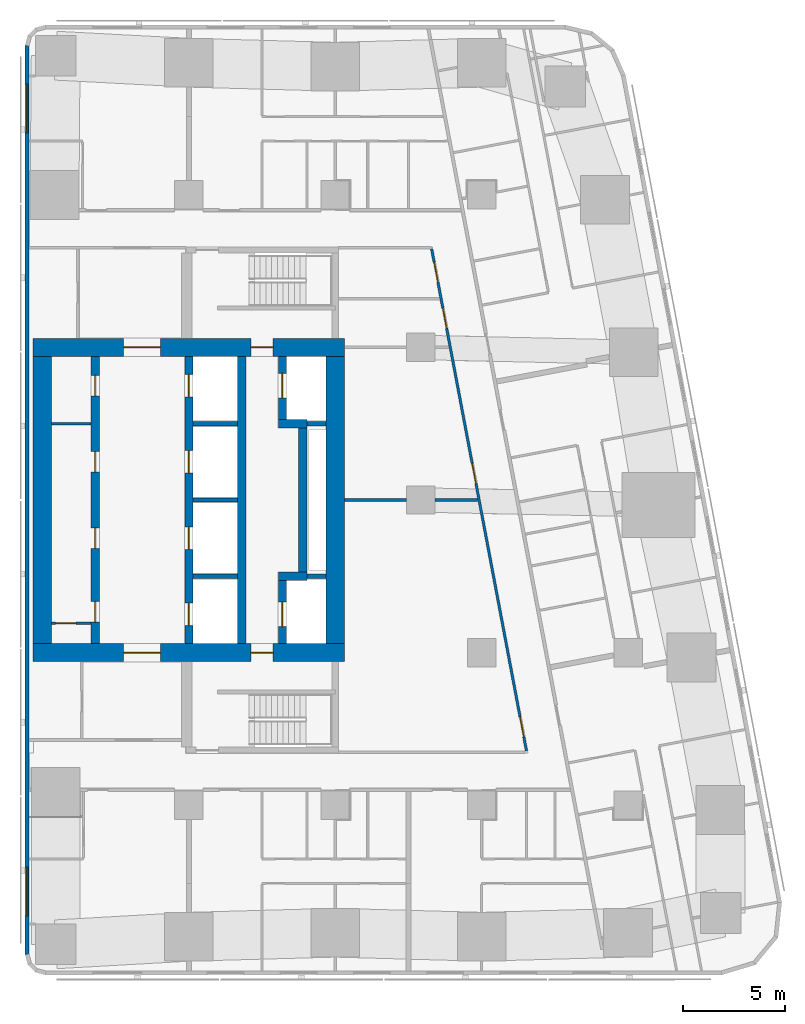
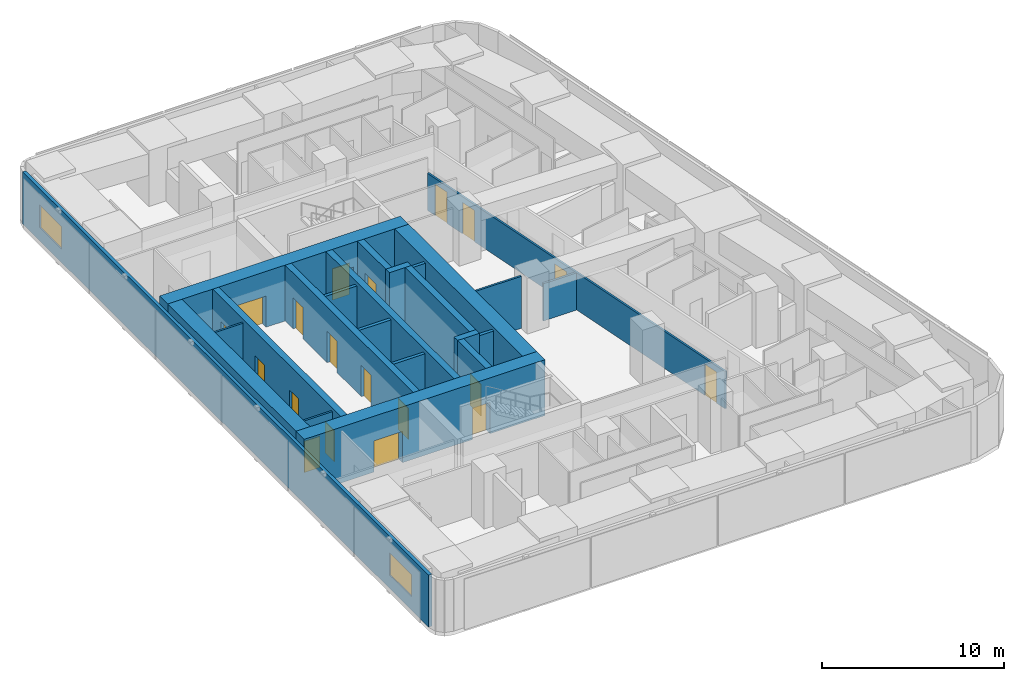
# One storey, part 4 of 10: 23 walls, 19 doors, 2 windows, 21 openings.
"""IFC4 building model written with IfcOpenShell, lengths in metres."""

from ifc_helpers import new_model, si_unit, direction, frame, frame_2d, origin, place, context, subcontext, project, spatial, rectangle, extrude, material, layer, layer_set, type_object, element, fill, save


model = new_model("IFC4")

# Units and contexts
model_context = context("Model", 3, precision=1e-05, world=origin(), true_north=direction((0.0, 1.0)))
body_context = subcontext(model_context, "Body", "Model", "MODEL_VIEW")
ifc_project = project(units=[si_unit("LENGTHUNIT", "METRE"), si_unit("AREAUNIT", "SQUARE_METRE"), si_unit("VOLUMEUNIT", "CUBIC_METRE"), si_unit("PLANEANGLEUNIT", "RADIAN"), si_unit("MASSUNIT", "GRAM", prefix="KILO")], contexts=[model_context])

# Site, building, storey
site_placement = place(None, origin())
site = spatial("IfcSite", under=ifc_project, at=site_placement, CompositionType="ELEMENT")
building_placement = place(site_placement, origin())
building = spatial("IfcBuilding", under=site, at=building_placement, Name="Sheger Commons Tower", CompositionType="ELEMENT")
storey_placement = place(building_placement, frame((0.0, 0.0, 234.949951171875)))
storey = spatial("IfcBuildingStorey", under=building, at=storey_placement, Name="L60", CompositionType="ELEMENT", Elevation=234.949951171875)

# Wall, openings, doors
ifc_material_1 = material(Name="Concrete C50/60", Category="concrete")
ifc_layer_1 = layer(ifc_material_1, 0.39990234375)
ifc_layer_set_1 = layer_set([ifc_layer_1], Name="CORE INNER WALL 400")
wall_type_1 = type_object("IfcWallType", Name="CORE INNER WALL 400", PredefinedType="SHEAR", material=ifc_layer_set_1)
wall_1_placement = place(storey_placement, frame((17.0, 15.449951171875, 0.0), z_axis=(0.0, 0.0, 1.0), x_axis=(0.0, 1.0, 0.0)))
wall_1 = element("IfcWall", 1, at=wall_1_placement, inside=storey, type_object=wall_type_1, Name="Core inner wall A L60", PredefinedType="SHEAR", context=body_context, shape_type="SweptSolid", body=[
    extrude(rectangle(XDim=14.10009765625, YDim=0.39990234375, at=frame_2d((7.050048828125, 0.0))), origin(), (0.0, 0.0, 1.0), 3.75),
])
opening_1_placement = place(wall_1_placement, frame((1.050048828125, 0.0, 0.0)))
opening_1 = element("IfcOpeningElement", 2, at=opening_1_placement, cuts=wall_1, Name="Opening D4", PredefinedType="OPENING", context=body_context, shape_type="SweptSolid", body=[
    extrude(rectangle(XDim=1.0, YDim=2.10009765625, at=frame_2d((0.5, 1.050048828125))), frame((0.0, 0.2099609375, 0.0), z_axis=(0.0, -1.0, 0.0), x_axis=(1.0, 0.0, 0.0)), (0.0, 0.0, 1.0), 0.419921875),
])
opening_2_placement = place(wall_1_placement, frame((4.675048828125, 0.0, 0.0)))
opening_2 = element("IfcOpeningElement", 3, at=opening_2_placement, cuts=wall_1, Name="Opening D4", PredefinedType="OPENING", context=body_context, shape_type="SweptSolid", body=[
    extrude(rectangle(XDim=1.0, YDim=2.10009765625, at=frame_2d((0.5, 1.050048828125))), frame((0.0, 0.2099609375, 0.0), z_axis=(0.0, -1.0, 0.0), x_axis=(1.0, 0.0, 0.0)), (0.0, 0.0, 1.0), 0.419921875),
])
opening_3_placement = place(wall_1_placement, frame((8.425048828125, 0.0, 0.0)))
opening_3 = element("IfcOpeningElement", 4, at=opening_3_placement, cuts=wall_1, Name="Opening D4", PredefinedType="OPENING", context=body_context, shape_type="SweptSolid", body=[
    extrude(rectangle(XDim=1.0, YDim=2.10009765625, at=frame_2d((0.5, 1.050048828125))), frame((0.0, 0.2099609375, 0.0), z_axis=(0.0, -1.0, 0.0), x_axis=(1.0, 0.0, 0.0)), (0.0, 0.0, 1.0), 0.419921875),
])
opening_4_placement = place(wall_1_placement, frame((12.175048828125, 0.0, 0.0)))
opening_4 = element("IfcOpeningElement", 5, at=opening_4_placement, cuts=wall_1, Name="Opening D4", PredefinedType="OPENING", context=body_context, shape_type="SweptSolid", body=[
    extrude(rectangle(XDim=1.0, YDim=2.10009765625, at=frame_2d((0.5, 1.050048828125))), frame((0.0, 0.2099609375, 0.0), z_axis=(0.0, -1.0, 0.0), x_axis=(1.0, 0.0, 0.0)), (0.0, 0.0, 1.0), 0.419921875),
])
ifc_material_2 = material(Name="Steel door set, fire rated", Category="steel")
door_type_1 = type_object("IfcDoorType", Name="SERVICE DOOR 1000x2100", OperationType="NOTDEFINED", PredefinedType="DOOR", material=ifc_material_2)
door_1_placement = place(opening_1_placement, origin())
door_1 = element("IfcDoor", 6, at=door_1_placement, inside=storey, type_object=door_type_1, Name="Maintenance store door", OperationType="SINGLE_SWING_LEFT", OverallHeight=2.10009765625, OverallWidth=1.0, PredefinedType="DOOR", context=body_context, shape_type="SweptSolid", body=[
    extrude(rectangle(XDim=1.0, YDim=2.10009765625, at=frame_2d((0.5, 1.050048828125))), frame((0.0, 0.02490234375, 0.0), z_axis=(0.0, -1.0, 0.0), x_axis=(1.0, 0.0, 0.0)), (0.0, 0.0, 1.0), 0.050048828125),
])
fill(opening_1, door_1)
door_2_placement = place(opening_2_placement, origin())
door_2 = element("IfcDoor", 7, at=door_2_placement, inside=storey, type_object=door_type_1, Name="Maintenance store door", OperationType="SINGLE_SWING_LEFT", OverallHeight=2.10009765625, OverallWidth=1.0, PredefinedType="DOOR", context=body_context, shape_type="SweptSolid", body=[
    extrude(rectangle(XDim=1.0, YDim=2.10009765625, at=frame_2d((0.5, 1.050048828125))), frame((0.0, 0.02490234375, 0.0), z_axis=(0.0, -1.0, 0.0), x_axis=(1.0, 0.0, 0.0)), (0.0, 0.0, 1.0), 0.050048828125),
])
fill(opening_2, door_2)
door_3_placement = place(opening_3_placement, origin())
door_3 = element("IfcDoor", 8, at=door_3_placement, inside=storey, type_object=door_type_1, Name="Maintenance store door", OperationType="SINGLE_SWING_RIGHT", OverallHeight=2.10009765625, OverallWidth=1.0, PredefinedType="DOOR", context=body_context, shape_type="SweptSolid", body=[
    extrude(rectangle(XDim=1.0, YDim=2.10009765625, at=frame_2d((0.5, 1.050048828125))), frame((0.0, 0.02490234375, 0.0), z_axis=(0.0, -1.0, 0.0), x_axis=(1.0, 0.0, 0.0)), (0.0, 0.0, 1.0), 0.050048828125),
])
fill(opening_3, door_3)
door_4_placement = place(opening_4_placement, origin())
door_4 = element("IfcDoor", 9, at=door_4_placement, inside=storey, type_object=door_type_1, Name="Staff WC door", OperationType="SINGLE_SWING_RIGHT", OverallHeight=2.10009765625, OverallWidth=1.0, PredefinedType="DOOR", context=body_context, shape_type="SweptSolid", body=[
    extrude(rectangle(XDim=1.0, YDim=2.10009765625, at=frame_2d((0.5, 1.050048828125))), frame((0.0, 0.02490234375, 0.0), z_axis=(0.0, -1.0, 0.0), x_axis=(1.0, 0.0, 0.0)), (0.0, 0.0, 1.0), 0.050048828125),
])
fill(opening_4, door_4)

wall_2_placement = place(storey_placement, frame((21.60009765625, 15.449951171875, 0.0), z_axis=(0.0, 0.0, 1.0), x_axis=(0.0, 1.0, 0.0)))
wall_2 = element("IfcWall", 10, at=wall_2_placement, inside=storey, type_object=wall_type_1, Name="Core inner wall L L60", PredefinedType="SHEAR", context=body_context, shape_type="SweptSolid", body=[
    extrude(rectangle(XDim=14.10009765625, YDim=0.39990234375, at=frame_2d((7.050048828125, 0.0))), origin(), (0.0, 0.0, 1.0), 3.75),
])
opening_5_placement = place(wall_2_placement, frame((0.875, 0.0, 0.0)))
opening_5 = element("IfcOpeningElement", 11, at=opening_5_placement, cuts=wall_2, Name="Opening LD", PredefinedType="OPENING", context=body_context, shape_type="SweptSolid", body=[
    extrude(rectangle(XDim=1.10009765625, YDim=2.10009765625, at=frame_2d((0.550048828125, 1.050048828125))), frame((0.0, 0.2099609375, 0.0), z_axis=(0.0, -1.0, 0.0), x_axis=(1.0, 0.0, 0.0)), (0.0, 0.0, 1.0), 0.419921875),
])
opening_6_placement = place(wall_2_placement, frame((4.625, 0.0, 0.0)))
opening_6 = element("IfcOpeningElement", 12, at=opening_6_placement, cuts=wall_2, Name="Opening LD", PredefinedType="OPENING", context=body_context, shape_type="SweptSolid", body=[
    extrude(rectangle(XDim=1.10009765625, YDim=2.10009765625, at=frame_2d((0.550048828125, 1.050048828125))), frame((0.0, 0.2099609375, 0.0), z_axis=(0.0, -1.0, 0.0), x_axis=(1.0, 0.0, 0.0)), (0.0, 0.0, 1.0), 0.419921875),
])
opening_7_placement = place(wall_2_placement, frame((8.375, 0.0, 0.0)))
opening_7 = element("IfcOpeningElement", 13, at=opening_7_placement, cuts=wall_2, Name="Opening LD", PredefinedType="OPENING", context=body_context, shape_type="SweptSolid", body=[
    extrude(rectangle(XDim=1.10009765625, YDim=2.10009765625, at=frame_2d((0.550048828125, 1.050048828125))), frame((0.0, 0.2099609375, 0.0), z_axis=(0.0, -1.0, 0.0), x_axis=(1.0, 0.0, 0.0)), (0.0, 0.0, 1.0), 0.419921875),
])
opening_8_placement = place(wall_2_placement, frame((12.125, 0.0, 0.0)))
opening_8 = element("IfcOpeningElement", 14, at=opening_8_placement, cuts=wall_2, Name="Opening LD", PredefinedType="OPENING", context=body_context, shape_type="SweptSolid", body=[
    extrude(rectangle(XDim=1.10009765625, YDim=2.10009765625, at=frame_2d((0.550048828125, 1.050048828125))), frame((0.0, 0.2099609375, 0.0), z_axis=(0.0, -1.0, 0.0), x_axis=(1.0, 0.0, 0.0)), (0.0, 0.0, 1.0), 0.419921875),
])
ifc_material_3 = material(Name="Steel door set, fire rated", Category="steel")
door_type_2 = type_object("IfcDoorType", Name="LIFT LANDING DOOR 1100x2100", OperationType="DOUBLE_DOOR_SLIDING", PredefinedType="DOOR", material=ifc_material_3)
door_5_placement = place(opening_5_placement, origin())
door_5 = element("IfcDoor", 15, at=door_5_placement, inside=storey, type_object=door_type_2, Name="Lift LB1 landing door", OperationType="DOUBLE_DOOR_SLIDING", OverallHeight=2.10009765625, OverallWidth=1.10009765625, PredefinedType="DOOR", context=body_context, shape_type="SweptSolid", body=[
    extrude(rectangle(XDim=1.10009765625, YDim=2.10009765625, at=frame_2d((0.550048828125, 1.050048828125))), frame((0.0, 0.02490234375, 0.0), z_axis=(0.0, -1.0, 0.0), x_axis=(1.0, 0.0, 0.0)), (0.0, 0.0, 1.0), 0.050048828125),
])
fill(opening_5, door_5)
door_6_placement = place(opening_6_placement, origin())
door_6 = element("IfcDoor", 16, at=door_6_placement, inside=storey, type_object=door_type_2, Name="Lift LB2 landing door", OperationType="DOUBLE_DOOR_SLIDING", OverallHeight=2.10009765625, OverallWidth=1.10009765625, PredefinedType="DOOR", context=body_context, shape_type="SweptSolid", body=[
    extrude(rectangle(XDim=1.10009765625, YDim=2.10009765625, at=frame_2d((0.550048828125, 1.050048828125))), frame((0.0, 0.02490234375, 0.0), z_axis=(0.0, -1.0, 0.0), x_axis=(1.0, 0.0, 0.0)), (0.0, 0.0, 1.0), 0.050048828125),
])
fill(opening_6, door_6)
door_7_placement = place(opening_7_placement, origin())
door_7 = element("IfcDoor", 17, at=door_7_placement, inside=storey, type_object=door_type_2, Name="Lift LB3 landing door", OperationType="DOUBLE_DOOR_SLIDING", OverallHeight=2.10009765625, OverallWidth=1.10009765625, PredefinedType="DOOR", context=body_context, shape_type="SweptSolid", body=[
    extrude(rectangle(XDim=1.10009765625, YDim=2.10009765625, at=frame_2d((0.550048828125, 1.050048828125))), frame((0.0, 0.02490234375, 0.0), z_axis=(0.0, -1.0, 0.0), x_axis=(1.0, 0.0, 0.0)), (0.0, 0.0, 1.0), 0.050048828125),
])
fill(opening_7, door_7)
door_8_placement = place(opening_8_placement, origin())
door_8 = element("IfcDoor", 18, at=door_8_placement, inside=storey, type_object=door_type_2, Name="Lift LB4 landing door", OperationType="DOUBLE_DOOR_SLIDING", OverallHeight=2.10009765625, OverallWidth=1.10009765625, PredefinedType="DOOR", context=body_context, shape_type="SweptSolid", body=[
    extrude(rectangle(XDim=1.10009765625, YDim=2.10009765625, at=frame_2d((0.550048828125, 1.050048828125))), frame((0.0, 0.02490234375, 0.0), z_axis=(0.0, -1.0, 0.0), x_axis=(1.0, 0.0, 0.0)), (0.0, 0.0, 1.0), 0.050048828125),
])
fill(opening_8, door_8)

# Wall
wall_3_placement = place(storey_placement, frame((24.199951171875, 15.449951171875, 0.0), z_axis=(0.0, 0.0, 1.0), x_axis=(0.0, 1.0, 0.0)))
element("IfcWall", 19, at=wall_3_placement, inside=storey, type_object=wall_type_1, Name="Core inner wall B L60", PredefinedType="SHEAR", context=body_context, shape_type="SweptSolid", body=[
    extrude(rectangle(XDim=14.10009765625, YDim=0.39990234375, at=frame_2d((7.050048828125, 0.0))), origin(), (0.0, 0.0, 1.0), 3.75),
])

# Wall, opening, door
wall_4_placement = place(storey_placement, frame((26.199951171875, 15.449951171875, 0.0), z_axis=(0.0, 0.0, 1.0), x_axis=(0.0, 1.0, 0.0)))
wall_4 = element("IfcWall", 20, at=wall_4_placement, inside=storey, type_object=wall_type_1, Name="Core inner wall F L60", PredefinedType="SHEAR", context=body_context, shape_type="SweptSolid", body=[
    extrude(rectangle(XDim=3.10009765625, YDim=0.39990234375, at=frame_2d((1.550048828125, 0.0))), origin(), (0.0, 0.0, 1.0), 3.75),
])
opening_9_placement = place(wall_4_placement, frame((0.824951171875, 0.0, 0.0)))
opening_9 = element("IfcOpeningElement", 21, at=opening_9_placement, cuts=wall_4, Name="Opening LD2", PredefinedType="OPENING", context=body_context, shape_type="SweptSolid", body=[
    extrude(rectangle(XDim=1.199951171875, YDim=2.10009765625, at=frame_2d((0.60009765625, 1.050048828125))), frame((0.0, 0.2099609375, 0.0), z_axis=(0.0, -1.0, 0.0), x_axis=(1.0, 0.0, 0.0)), (0.0, 0.0, 1.0), 0.419921875),
])
ifc_material_4 = material(Name="Steel door set, fire rated", Category="steel")
door_type_3 = type_object("IfcDoorType", Name="FIREFIGHTING LIFT LANDING DOOR 1200x2100", OperationType="DOUBLE_DOOR_SLIDING", PredefinedType="DOOR", material=ifc_material_4)
door_9_placement = place(opening_9_placement, origin())
door_9 = element("IfcDoor", 22, at=door_9_placement, inside=storey, type_object=door_type_3, Name="Lift FL1 landing door", OperationType="DOUBLE_DOOR_SLIDING", OverallHeight=2.10009765625, OverallWidth=1.199951171875, PredefinedType="DOOR", context=body_context, shape_type="SweptSolid", body=[
    extrude(rectangle(XDim=1.199951171875, YDim=2.10009765625, at=frame_2d((0.60009765625, 1.050048828125))), frame((0.0, 0.02490234375, 0.0), z_axis=(0.0, -1.0, 0.0), x_axis=(1.0, 0.0, 0.0)), (0.0, 0.0, 1.0), 0.050048828125),
])
fill(opening_9, door_9)

# Walls
wall_5_placement = place(storey_placement, frame((26.0, 18.75, 0.0), z_axis=(0.0, 0.0, 1.0), x_axis=(1.0, 0.0, 0.0)))
element("IfcWall", 23, at=wall_5_placement, inside=storey, type_object=wall_type_1, Name="Core inner wall F south return L60", PredefinedType="SHEAR", context=body_context, shape_type="SweptSolid", body=[
    extrude(rectangle(XDim=1.39990234375, YDim=0.39990234375, at=frame_2d((0.699951171875, 0.0))), origin(), (0.0, 0.0, 1.0), 3.75),
])
wall_6_placement = place(storey_placement, frame((27.199951171875, 18.949951171875, 0.0), z_axis=(0.0, 0.0, 1.0), x_axis=(0.0, 1.0, 0.0)))
element("IfcWall", 24, at=wall_6_placement, inside=storey, type_object=wall_type_1, Name="Core inner wall F middle L60", PredefinedType="SHEAR", context=body_context, shape_type="SweptSolid", body=[
    extrude(rectangle(XDim=7.10009765625, YDim=0.39990234375, at=frame_2d((3.550048828125, 0.0))), origin(), (0.0, 0.0, 1.0), 3.75),
])
wall_7_placement = place(storey_placement, frame((26.0, 26.25, 0.0), z_axis=(0.0, 0.0, 1.0), x_axis=(1.0, 0.0, 0.0)))
element("IfcWall", 25, at=wall_7_placement, inside=storey, type_object=wall_type_1, Name="Core inner wall F north return L60", PredefinedType="SHEAR", context=body_context, shape_type="SweptSolid", body=[
    extrude(rectangle(XDim=1.39990234375, YDim=0.39990234375, at=frame_2d((0.699951171875, 0.0))), origin(), (0.0, 0.0, 1.0), 3.75),
])

# Wall, opening, door
wall_8_placement = place(storey_placement, frame((26.199951171875, 26.449951171875, 0.0), z_axis=(0.0, 0.0, 1.0), x_axis=(0.0, 1.0, 0.0)))
wall_8 = element("IfcWall", 26, at=wall_8_placement, inside=storey, type_object=wall_type_1, Name="Core inner wall F north L60", PredefinedType="SHEAR", context=body_context, shape_type="SweptSolid", body=[
    extrude(rectangle(XDim=3.10009765625, YDim=0.39990234375, at=frame_2d((1.550048828125, 0.0))), origin(), (0.0, 0.0, 1.0), 3.75),
])
opening_10_placement = place(wall_8_placement, frame((1.074951171875, 0.0, 0.0)))
opening_10 = element("IfcOpeningElement", 27, at=opening_10_placement, cuts=wall_8, Name="Opening LD2", PredefinedType="OPENING", context=body_context, shape_type="SweptSolid", body=[
    extrude(rectangle(XDim=1.199951171875, YDim=2.10009765625, at=frame_2d((0.60009765625, 1.050048828125))), frame((0.0, 0.2099609375, 0.0), z_axis=(0.0, -1.0, 0.0), x_axis=(1.0, 0.0, 0.0)), (0.0, 0.0, 1.0), 0.419921875),
])
door_10_placement = place(opening_10_placement, origin())
door_10 = element("IfcDoor", 28, at=door_10_placement, inside=storey, type_object=door_type_3, Name="Lift FL2 landing door", OperationType="DOUBLE_DOOR_SLIDING", OverallHeight=2.10009765625, OverallWidth=1.199951171875, PredefinedType="DOOR", context=body_context, shape_type="SweptSolid", body=[
    extrude(rectangle(XDim=1.199951171875, YDim=2.10009765625, at=frame_2d((0.60009765625, 1.050048828125))), frame((0.0, 0.02490234375, 0.0), z_axis=(0.0, -1.0, 0.0), x_axis=(1.0, 0.0, 0.0)), (0.0, 0.0, 1.0), 0.050048828125),
])
fill(opening_10, door_10)

# Wall, openings, doors
ifc_material_5 = material(Name="Concrete C50/60", Category="concrete")
ifc_layer_2 = layer(ifc_material_5, 0.89990234375)
ifc_layer_set_2 = layer_set([ifc_layer_2], Name="CORE WALL 900")
wall_type_2 = type_object("IfcWallType", Name="CORE WALL 900", PredefinedType="SHEAR", material=ifc_layer_set_2)
wall_9_placement = place(storey_placement, frame((13.949951171875, 15.0, 0.0), z_axis=(0.0, 0.0, 1.0), x_axis=(1.0, 0.0, 0.0)))
wall_9 = element("IfcWall", 29, at=wall_9_placement, inside=storey, type_object=wall_type_2, Name="Core wall south L60", PredefinedType="SHEAR", context=body_context, shape_type="SweptSolid", body=[
    extrude(rectangle(XDim=15.300048828125, YDim=0.89990234375, at=frame_2d((7.64990234375, 0.0))), origin(), (0.0, 0.0, 1.0), 3.75),
])
opening_11_placement = place(wall_9_placement, frame((4.449951171875, 0.0, 0.0)))
opening_11 = element("IfcOpeningElement", 30, at=opening_11_placement, cuts=wall_9, Name="Opening D6", PredefinedType="OPENING", context=body_context, shape_type="SweptSolid", body=[
    extrude(rectangle(XDim=1.800048828125, YDim=2.10009765625, at=frame_2d((0.89990234375, 1.050048828125))), frame((0.0, 0.4599609375, 0.0), z_axis=(0.0, -1.0, 0.0), x_axis=(1.0, 0.0, 0.0)), (0.0, 0.0, 1.0), 0.919921875),
])
opening_12_placement = place(wall_9_placement, frame((10.699951171875, 0.0, 0.0)))
opening_12 = element("IfcOpeningElement", 31, at=opening_12_placement, cuts=wall_9, Name="Opening D5", PredefinedType="OPENING", context=body_context, shape_type="SweptSolid", body=[
    extrude(rectangle(XDim=1.10009765625, YDim=2.10009765625, at=frame_2d((0.550048828125, 1.050048828125))), frame((0.0, 0.4599609375, 0.0), z_axis=(0.0, -1.0, 0.0), x_axis=(1.0, 0.0, 0.0)), (0.0, 0.0, 1.0), 0.919921875),
])
ifc_material_6 = material(Name="Steel door set, fire rated", Category="steel")
door_type_4 = type_object("IfcDoorType", Name="LOBBY DOUBLE DOOR 1800x2100", OperationType="DOUBLE_DOOR_SINGLE_SWING", PredefinedType="DOOR", material=ifc_material_6)
door_11_placement = place(opening_11_placement, origin())
door_11 = element("IfcDoor", 32, at=door_11_placement, inside=storey, type_object=door_type_4, Name="Lift lobby door", OperationType="DOUBLE_DOOR_SINGLE_SWING", OverallHeight=2.10009765625, OverallWidth=1.800048828125, PredefinedType="DOOR", context=body_context, shape_type="SweptSolid", body=[
    extrude(rectangle(XDim=1.800048828125, YDim=2.10009765625, at=frame_2d((0.89990234375, 1.050048828125))), frame((0.0, 0.02490234375, 0.0), z_axis=(0.0, -1.0, 0.0), x_axis=(1.0, 0.0, 0.0)), (0.0, 0.0, 1.0), 0.050048828125),
])
fill(opening_11, door_11)
ifc_material_7 = material(Name="Steel door set, fire rated", Category="steel")
door_type_5 = type_object("IfcDoorType", Name="STAIR DOOR 1100x2100", OperationType="NOTDEFINED", PredefinedType="DOOR", material=ifc_material_7)
door_12_placement = place(opening_12_placement, origin())
door_12 = element("IfcDoor", 33, at=door_12_placement, inside=storey, type_object=door_type_5, Name="Fire-fighting lobby door", OperationType="SINGLE_SWING_LEFT", OverallHeight=2.10009765625, OverallWidth=1.10009765625, PredefinedType="DOOR", context=body_context, shape_type="SweptSolid", body=[
    extrude(rectangle(XDim=1.10009765625, YDim=2.10009765625, at=frame_2d((0.550048828125, 1.050048828125))), frame((0.0, 0.02490234375, 0.0), z_axis=(0.0, -1.0, 0.0), x_axis=(1.0, 0.0, 0.0)), (0.0, 0.0, 1.0), 0.050048828125),
])
fill(opening_12, door_12)

wall_10_placement = place(storey_placement, frame((13.949951171875, 30.0, 0.0), z_axis=(0.0, 0.0, 1.0), x_axis=(1.0, 0.0, 0.0)))
wall_10 = element("IfcWall", 34, at=wall_10_placement, inside=storey, type_object=wall_type_2, Name="Core wall north L60", PredefinedType="SHEAR", context=body_context, shape_type="SweptSolid", body=[
    extrude(rectangle(XDim=15.300048828125, YDim=0.89990234375, at=frame_2d((7.64990234375, 0.0))), origin(), (0.0, 0.0, 1.0), 3.75),
])
opening_13_placement = place(wall_10_placement, frame((4.449951171875, 0.0, 0.0)))
opening_13 = element("IfcOpeningElement", 35, at=opening_13_placement, cuts=wall_10, Name="Opening D6", PredefinedType="OPENING", context=body_context, shape_type="SweptSolid", body=[
    extrude(rectangle(XDim=1.800048828125, YDim=2.10009765625, at=frame_2d((0.89990234375, 1.050048828125))), frame((0.0, 0.4599609375, 0.0), z_axis=(0.0, -1.0, 0.0), x_axis=(1.0, 0.0, 0.0)), (0.0, 0.0, 1.0), 0.919921875),
])
opening_14_placement = place(wall_10_placement, frame((10.699951171875, 0.0, 0.0)))
opening_14 = element("IfcOpeningElement", 36, at=opening_14_placement, cuts=wall_10, Name="Opening D5", PredefinedType="OPENING", context=body_context, shape_type="SweptSolid", body=[
    extrude(rectangle(XDim=1.10009765625, YDim=2.10009765625, at=frame_2d((0.550048828125, 1.050048828125))), frame((0.0, 0.4599609375, 0.0), z_axis=(0.0, -1.0, 0.0), x_axis=(1.0, 0.0, 0.0)), (0.0, 0.0, 1.0), 0.919921875),
])
door_13_placement = place(opening_13_placement, origin())
door_13 = element("IfcDoor", 37, at=door_13_placement, inside=storey, type_object=door_type_4, Name="Lift lobby door", OperationType="DOUBLE_DOOR_SINGLE_SWING", OverallHeight=2.10009765625, OverallWidth=1.800048828125, PredefinedType="DOOR", context=body_context, shape_type="SweptSolid", body=[
    extrude(rectangle(XDim=1.800048828125, YDim=2.10009765625, at=frame_2d((0.89990234375, 1.050048828125))), frame((0.0, 0.02490234375, 0.0), z_axis=(0.0, -1.0, 0.0), x_axis=(1.0, 0.0, 0.0)), (0.0, 0.0, 1.0), 0.050048828125),
])
fill(opening_13, door_13)
door_14_placement = place(opening_14_placement, origin())
door_14 = element("IfcDoor", 38, at=door_14_placement, inside=storey, type_object=door_type_5, Name="Fire-fighting lobby door", OperationType="SINGLE_SWING_LEFT", OverallHeight=2.10009765625, OverallWidth=1.10009765625, PredefinedType="DOOR", context=body_context, shape_type="SweptSolid", body=[
    extrude(rectangle(XDim=1.10009765625, YDim=2.10009765625, at=frame_2d((0.550048828125, 1.050048828125))), frame((0.0, 0.02490234375, 0.0), z_axis=(0.0, -1.0, 0.0), x_axis=(1.0, 0.0, 0.0)), (0.0, 0.0, 1.0), 0.050048828125),
])
fill(opening_14, door_14)

# Walls
for number, where, z_axis, x_axis, name in (
    (39, (14.39990234375, 15.449951171875, 0.0), (0.0, 0.0, 1.0), (0.0, 1.0, 0.0), "Core wall west L60"),
    (40, (28.800048828125, 15.449951171875, 0.0), (0.0, 0.0, 1.0), (0.0, 1.0, 0.0), "Core wall east L60"),
):
    element("IfcWall", number, at=place(storey_placement, frame(where, z_axis=z_axis, x_axis=x_axis)), inside=storey, type_object=wall_type_2, Name=name, PredefinedType="SHEAR", context=body_context, shape_type="SweptSolid", body=[
        extrude(rectangle(XDim=14.10009765625, YDim=0.89990234375, at=frame_2d((7.050048828125, 0.0))), origin(), (0.0, 0.0, 1.0), 3.75),
    ])

# Wall, openings, windows
ifc_material_8 = material(Name="Rendered concrete block masonry, dark grey", Category="masonry")
ifc_layer_3 = layer(ifc_material_8, 0.199951171875)
ifc_layer_set_3 = layer_set([ifc_layer_3], Name="FACADE WALL 200")
wall_type_3 = type_object("IfcWallType", Name="FACADE WALL 200", PredefinedType="SOLIDWALL", material=ifc_layer_set_3)
wall_11_placement = place(storey_placement, frame((13.64990234375, 44.8369140625, 0.0), z_axis=(0.0, 0.0, 1.0), x_axis=(0.0, -1.0, 0.0)))
wall_11 = element("IfcWall", 41, at=wall_11_placement, inside=storey, type_object=wall_type_3, Name="Facade wall L60", PredefinedType="SOLIDWALL", context=body_context, shape_type="SweptSolid", body=[
    extrude(rectangle(XDim=44.673828125, YDim=0.199951171875, at=frame_2d((22.3369140625, 0.0))), origin(), (0.0, 0.0, 1.0), 3.5),
])
opening_15_placement = place(wall_11_placement, frame((1.888916015625, 0.0, 0.89990234375)))
opening_15 = element("IfcOpeningElement", 42, at=opening_15_placement, cuts=wall_11, Name="Opening W1", PredefinedType="OPENING", context=body_context, shape_type="SweptSolid", body=[
    extrude(rectangle(XDim=2.39990234375, YDim=1.5, at=frame_2d((1.199951171875, 0.75))), frame((0.0, 0.10986328125, 0.0), z_axis=(0.0, -1.0, 0.0), x_axis=(1.0, 0.0, 0.0)), (0.0, 0.0, 1.0), 0.219970703125),
])
opening_16_placement = place(wall_11_placement, frame((40.385009765625, 0.0, 0.89990234375)))
opening_16 = element("IfcOpeningElement", 43, at=opening_16_placement, cuts=wall_11, Name="Opening W1", PredefinedType="OPENING", context=body_context, shape_type="SweptSolid", body=[
    extrude(rectangle(XDim=2.39990234375, YDim=1.5, at=frame_2d((1.199951171875, 0.75))), frame((0.0, 0.10986328125, 0.0), z_axis=(0.0, -1.0, 0.0), x_axis=(1.0, 0.0, 0.0)), (0.0, 0.0, 1.0), 0.219970703125),
])
ifc_material_9 = material(Name="Black aluminium frame, dark tinted double glazing", Category="aluminium")
window_type = type_object("IfcWindowType", Name="WINDOW W1 2400x1500", PartitioningType="SINGLE_PANEL", PredefinedType="WINDOW", material=ifc_material_9)
window_1_placement = place(opening_15_placement, origin())
window_1 = element("IfcWindow", 44, at=window_1_placement, inside=storey, type_object=window_type, Name="Window W1 2400X1500", OverallHeight=1.5, OverallWidth=2.39990234375, PartitioningType="SINGLE_PANEL", PredefinedType="WINDOW", context=body_context, shape_type="SweptSolid", body=[
    extrude(rectangle(XDim=2.39990234375, YDim=1.5, at=frame_2d((1.199951171875, 0.75))), frame((0.0, 0.030029296875, 0.0), z_axis=(0.0, -1.0, 0.0), x_axis=(1.0, 0.0, 0.0)), (0.0, 0.0, 1.0), 0.06005859375),
])
fill(opening_15, window_1)
window_2_placement = place(opening_16_placement, origin())
window_2 = element("IfcWindow", 45, at=window_2_placement, inside=storey, type_object=window_type, Name="Window W1 2400X1500", OverallHeight=1.5, OverallWidth=2.39990234375, PartitioningType="SINGLE_PANEL", PredefinedType="WINDOW", context=body_context, shape_type="SweptSolid", body=[
    extrude(rectangle(XDim=2.39990234375, YDim=1.5, at=frame_2d((1.199951171875, 0.75))), frame((0.0, 0.030029296875, 0.0), z_axis=(0.0, -1.0, 0.0), x_axis=(1.0, 0.0, 0.0)), (0.0, 0.0, 1.0), 0.06005859375),
])
fill(opening_16, window_2)

# Wall, openings, doors
ifc_material_10 = material(Name="Gypsum board on steel studs, two layers each side, fire rated", Category="steel")
ifc_layer_4 = layer(ifc_material_10, 0.125)
ifc_layer_set_4 = layer_set([ifc_layer_4], Name="SERVICE WALL 125")
wall_type_4 = type_object("IfcWallType", Name="SERVICE WALL 125", PredefinedType="PARTITIONING", material=ifc_layer_set_4)
wall_12_placement = place(storey_placement, frame((38.201904296875, 10.1630859375, 0.0), z_axis=(0.0, 0.0, 1.0), x_axis=(-0.185610321132, 0.982623431783, 0.0)))
wall_12 = element("IfcWall", 46, at=wall_12_placement, inside=storey, type_object=wall_type_4, Name="Service room wall L60", PredefinedType="PARTITIONING", context=body_context, shape_type="SweptSolid", body=[
    extrude(rectangle(XDim=25.111083984375, YDim=0.125, at=frame_2d((12.5556640625, 0.0))), origin(), (0.0, 0.0, 1.0), 2.5),
])
opening_17_placement = place(wall_12_placement, frame((0.7080078125, 0.0, 0.0)))
opening_17 = element("IfcOpeningElement", 47, at=opening_17_placement, cuts=wall_12, Name="Opening D4", PredefinedType="OPENING", context=body_context, shape_type="SweptSolid", body=[
    extrude(rectangle(XDim=1.0, YDim=2.10009765625, at=frame_2d((0.5, 1.050048828125))), frame((0.0, 0.072509765625, 0.0), z_axis=(0.0, -1.0, 0.0), x_axis=(1.0, 0.0, 0.0)), (0.0, 0.0, 1.0), 0.14501953125),
])
opening_18_placement = place(wall_12_placement, frame((13.3779296875, 0.0, 0.0)))
opening_18 = element("IfcOpeningElement", 48, at=opening_18_placement, cuts=wall_12, Name="Opening D4", PredefinedType="OPENING", context=body_context, shape_type="SweptSolid", body=[
    extrude(rectangle(XDim=1.0, YDim=2.10009765625, at=frame_2d((0.5, 1.050048828125))), frame((0.0, 0.072509765625, 0.0), z_axis=(0.0, -1.0, 0.0), x_axis=(1.0, 0.0, 0.0)), (0.0, 0.0, 1.0), 0.14501953125),
])
opening_19_placement = place(wall_12_placement, frame((21.14990234375, 0.0, 0.0)))
opening_19 = element("IfcOpeningElement", 49, at=opening_19_placement, cuts=wall_12, Name="Opening D4", PredefinedType="OPENING", context=body_context, shape_type="SweptSolid", body=[
    extrude(rectangle(XDim=1.0, YDim=2.10009765625, at=frame_2d((0.5, 1.050048828125))), frame((0.0, 0.072509765625, 0.0), z_axis=(0.0, -1.0, 0.0), x_axis=(1.0, 0.0, 0.0)), (0.0, 0.0, 1.0), 0.14501953125),
])
opening_20_placement = place(wall_12_placement, frame((23.452880859375, 0.0, 0.0)))
opening_20 = element("IfcOpeningElement", 50, at=opening_20_placement, cuts=wall_12, Name="Opening D4", PredefinedType="OPENING", context=body_context, shape_type="SweptSolid", body=[
    extrude(rectangle(XDim=1.0, YDim=2.10009765625, at=frame_2d((0.5, 1.050048828125))), frame((0.0, 0.072509765625, 0.0), z_axis=(0.0, -1.0, 0.0), x_axis=(1.0, 0.0, 0.0)), (0.0, 0.0, 1.0), 0.14501953125),
])
door_15_placement = place(opening_17_placement, origin())
door_15 = element("IfcDoor", 51, at=door_15_placement, inside=storey, type_object=door_type_1, Name="Children's play room door", OperationType="SINGLE_SWING_LEFT", OverallHeight=2.10009765625, OverallWidth=1.0, PredefinedType="DOOR", context=body_context, shape_type="SweptSolid", body=[
    extrude(rectangle(XDim=1.0, YDim=2.10009765625, at=frame_2d((0.5, 1.050048828125))), frame((0.0, 0.02490234375, 0.0), z_axis=(0.0, -1.0, 0.0), x_axis=(1.0, 0.0, 0.0)), (0.0, 0.0, 1.0), 0.050048828125),
])
fill(opening_17, door_15)
door_16_placement = place(opening_18_placement, origin())
door_16 = element("IfcDoor", 52, at=door_16_placement, inside=storey, type_object=door_type_1, Name="Residents' meeting room door", OperationType="SINGLE_SWING_LEFT", OverallHeight=2.10009765625, OverallWidth=1.0, PredefinedType="DOOR", context=body_context, shape_type="SweptSolid", body=[
    extrude(rectangle(XDim=1.0, YDim=2.10009765625, at=frame_2d((0.5, 1.050048828125))), frame((0.0, 0.02490234375, 0.0), z_axis=(0.0, -1.0, 0.0), x_axis=(1.0, 0.0, 0.0)), (0.0, 0.0, 1.0), 0.050048828125),
])
fill(opening_18, door_16)
door_17_placement = place(opening_19_placement, origin())
door_17 = element("IfcDoor", 53, at=door_17_placement, inside=storey, type_object=door_type_1, Name="Residents' store door", OperationType="SINGLE_SWING_RIGHT", OverallHeight=2.10009765625, OverallWidth=1.0, PredefinedType="DOOR", context=body_context, shape_type="SweptSolid", body=[
    extrude(rectangle(XDim=1.0, YDim=2.10009765625, at=frame_2d((0.5, 1.050048828125))), frame((0.0, 0.02490234375, 0.0), z_axis=(0.0, -1.0, 0.0), x_axis=(1.0, 0.0, 0.0)), (0.0, 0.0, 1.0), 0.050048828125),
])
fill(opening_19, door_17)
door_18_placement = place(opening_20_placement, origin())
door_18 = element("IfcDoor", 54, at=door_18_placement, inside=storey, type_object=door_type_1, Name="Caretaker's store door", OperationType="SINGLE_SWING_RIGHT", OverallHeight=2.10009765625, OverallWidth=1.0, PredefinedType="DOOR", context=body_context, shape_type="SweptSolid", body=[
    extrude(rectangle(XDim=1.0, YDim=2.10009765625, at=frame_2d((0.5, 1.050048828125))), frame((0.0, 0.02490234375, 0.0), z_axis=(0.0, -1.0, 0.0), x_axis=(1.0, 0.0, 0.0)), (0.0, 0.0, 1.0), 0.050048828125),
])
fill(opening_20, door_18)

# Walls
wall_13_placement = place(storey_placement, frame((29.25, 22.5, 0.0), z_axis=(0.0, 0.0, 1.0), x_axis=(1.0, 0.0, 0.0)))
element("IfcWall", 55, at=wall_13_placement, inside=storey, type_object=wall_type_4, Name="Service room wall L60", PredefinedType="PARTITIONING", context=body_context, shape_type="SweptSolid", body=[
    extrude(rectangle(XDim=3.049072265625, YDim=0.125, at=frame_2d((1.5244140625, 0.0))), origin(), (0.0, 0.0, 1.0), 3.5),
])
wall_14_placement = place(storey_placement, frame((33.700927734375, 22.5, 0.0), z_axis=(0.0, 0.0, 1.0), x_axis=(1.0, 0.0, 0.0)))
element("IfcWall", 56, at=wall_14_placement, inside=storey, type_object=wall_type_4, Name="Service room wall L60", PredefinedType="PARTITIONING", context=body_context, shape_type="SweptSolid", body=[
    extrude(rectangle(XDim=2.094970703125, YDim=0.125, at=frame_2d((1.04736328125, 0.0))), origin(), (0.0, 0.0, 1.0), 2.5),
])

# Wall, opening, door
wall_15_placement = place(storey_placement, frame((14.85009765625, 16.449951171875, 0.0), z_axis=(0.0, 0.0, 1.0), x_axis=(1.0, 0.0, 0.0)))
wall_15 = element("IfcWall", 57, at=wall_15_placement, inside=storey, type_object=wall_type_4, Name="Service room wall L60", PredefinedType="PARTITIONING", context=body_context, shape_type="SweptSolid", body=[
    extrude(rectangle(XDim=1.949951171875, YDim=0.125, at=frame_2d((0.97509765625, 0.0))), origin(), (0.0, 0.0, 1.0), 3.5),
])
opening_21_placement = place(wall_15_placement, frame((0.199951171875, 0.0, 0.0)))
opening_21 = element("IfcOpeningElement", 58, at=opening_21_placement, cuts=wall_15, Name="Opening D4", PredefinedType="OPENING", context=body_context, shape_type="SweptSolid", body=[
    extrude(rectangle(XDim=1.0, YDim=2.10009765625, at=frame_2d((0.5, 1.050048828125))), frame((0.0, 0.072509765625, 0.0), z_axis=(0.0, -1.0, 0.0), x_axis=(1.0, 0.0, 0.0)), (0.0, 0.0, 1.0), 0.14501953125),
])
door_19_placement = place(opening_21_placement, origin())
door_19 = element("IfcDoor", 59, at=door_19_placement, inside=storey, type_object=door_type_1, Name="Electrical riser door", OperationType="SINGLE_SWING_RIGHT", OverallHeight=2.10009765625, OverallWidth=1.0, PredefinedType="DOOR", context=body_context, shape_type="SweptSolid", body=[
    extrude(rectangle(XDim=1.0, YDim=2.10009765625, at=frame_2d((0.5, 1.050048828125))), frame((0.0, 0.02490234375, 0.0), z_axis=(0.0, -1.0, 0.0), x_axis=(1.0, 0.0, 0.0)), (0.0, 0.0, 1.0), 0.050048828125),
])
fill(opening_21, door_19)

# Walls
wall_16_placement = place(storey_placement, frame((14.85009765625, 26.25, 0.0), z_axis=(0.0, 0.0, 1.0), x_axis=(1.0, 0.0, 0.0)))
element("IfcWall", 60, at=wall_16_placement, inside=storey, type_object=wall_type_4, Name="Service room wall L60", PredefinedType="PARTITIONING", context=body_context, shape_type="SweptSolid", body=[
    extrude(rectangle(XDim=1.949951171875, YDim=0.125, at=frame_2d((0.97509765625, 0.0))), origin(), (0.0, 0.0, 1.0), 3.5),
])
ifc_material_11 = material(Name="Hollow concrete block masonry", Category="masonry")
ifc_layer_5 = layer(ifc_material_11, 0.199951171875)
ifc_layer_set_5 = layer_set([ifc_layer_5], Name="SHAFT WALL 200")
wall_type_5 = type_object("IfcWallType", Name="SHAFT WALL 200", PredefinedType="SOLIDWALL", material=ifc_layer_set_5)
for number, where, z_axis, x_axis, name in (
    (61, (21.800048828125, 18.75, 0.0), (0.0, 0.0, 1.0), (1.0, 0.0, 0.0), "Lift shaft wall L60"),
    (62, (21.800048828125, 22.5, 0.0), (0.0, 0.0, 1.0), (1.0, 0.0, 0.0), "Lift shaft wall L60"),
    (63, (21.800048828125, 26.25, 0.0), (0.0, 0.0, 1.0), (1.0, 0.0, 0.0), "Lift shaft wall L60"),
):
    element("IfcWall", number, at=place(storey_placement, frame(where, z_axis=z_axis, x_axis=x_axis)), inside=storey, type_object=wall_type_5, Name=name, PredefinedType="SOLIDWALL", context=body_context, shape_type="SweptSolid", body=[
        extrude(rectangle(XDim=2.199951171875, YDim=0.199951171875, at=frame_2d((1.10009765625, 0.0))), origin(), (0.0, 0.0, 1.0), 3.5),
    ])
for number, where, z_axis, x_axis, name in (
    (64, (27.39990234375, 18.75, 0.0), (0.0, 0.0, 1.0), (1.0, 0.0, 0.0), "Lift shaft wall L60"),
    (65, (27.39990234375, 26.25, 0.0), (0.0, 0.0, 1.0), (1.0, 0.0, 0.0), "Lift shaft wall L60"),
):
    element("IfcWall", number, at=place(storey_placement, frame(where, z_axis=z_axis, x_axis=x_axis)), inside=storey, type_object=wall_type_5, Name=name, PredefinedType="SOLIDWALL", context=body_context, shape_type="SweptSolid", body=[
        extrude(rectangle(XDim=0.9501953125, YDim=0.199951171875, at=frame_2d((0.47509765625, 0.0))), origin(), (0.0, 0.0, 1.0), 3.5),
    ])

save(model, "model.ifc")
